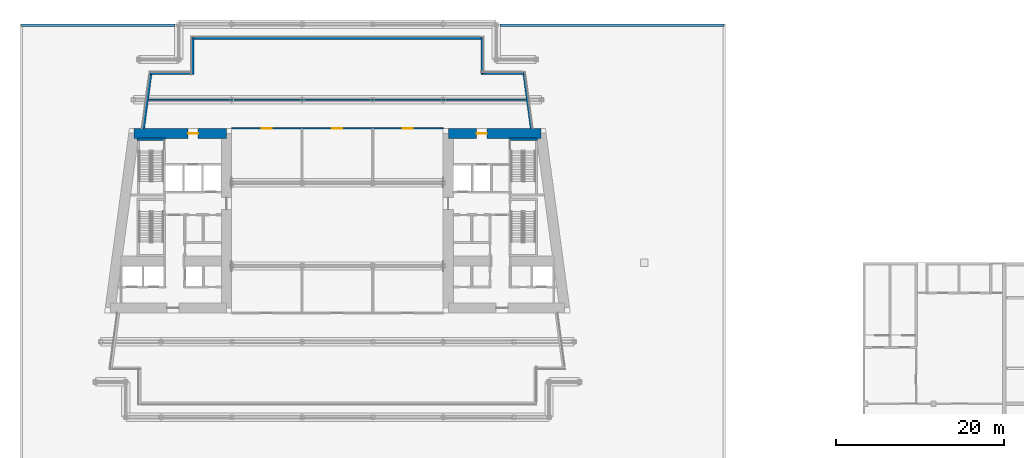
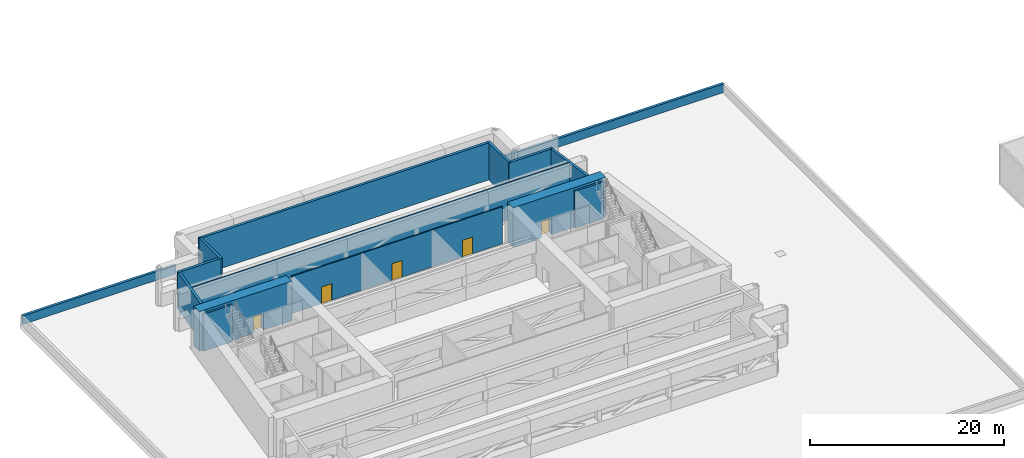
# One storey, part 18 of 26: 15 walls, 5 doors, 5 openings.
"""IFC4 building model written with IfcOpenShell, lengths in metres."""

from ifc_helpers import new_model, si_unit, direction, frame, frame_2d, origin, place, context, subcontext, project, spatial, rectangle, extrude, material, layer, layer_set, type_object, element, fill, save


model = new_model("IFC4")

# Units and contexts
model_context = context("Model", 3, precision=1e-05, world=origin(), true_north=direction((0.0, 1.0)))
body_context = subcontext(model_context, "Body", "Model", "MODEL_VIEW")
ifc_project = project(units=[si_unit("LENGTHUNIT", "METRE"), si_unit("AREAUNIT", "SQUARE_METRE"), si_unit("VOLUMEUNIT", "CUBIC_METRE"), si_unit("PLANEANGLEUNIT", "RADIAN"), si_unit("MASSUNIT", "GRAM", prefix="KILO")], contexts=[model_context])

# Site, building, storey
site_placement = place(None, origin())
site = spatial("IfcSite", under=ifc_project, at=site_placement, CompositionType="ELEMENT")
building_placement = place(site_placement, origin())
building = spatial("IfcBuilding", under=site, at=building_placement, Name="Candeia Pilgrim Tower and Theatre", CompositionType="ELEMENT")
storey_placement = place(building_placement, frame((0.0, 0.0, 34.0)))
storey = spatial("IfcBuildingStorey", under=building, at=storey_placement, Name="L05", CompositionType="ELEMENT", Elevation=34.0)

# Wall, opening, door
ifc_material_1 = material(Name="Concrete C80/95", Category="concrete")
ifc_layer_1 = layer(ifc_material_1, 1.199951171875)
ifc_layer_set_1 = layer_set([ifc_layer_1], Name="Core wall 1200 C80/95")
wall_type_1 = type_object("IfcWallType", Name="Core wall 1200 C80/95", PredefinedType="SHEAR", material=ifc_layer_set_1)
wall_1_placement = place(storey_placement, frame((89.155517578125, 131.800048828125, 0.0), z_axis=(0.0, 0.0, 1.0), x_axis=(1.0, 0.0, 0.0)))
wall_1 = element("IfcWall", 1, at=wall_1_placement, inside=storey, type_object=wall_type_1, Name="Core wall W1", PredefinedType="SHEAR", context=body_context, shape_type="SweptSolid", body=[
    extrude(rectangle(XDim=11.04443359375, YDim=1.199951171875, at=frame_2d((5.522216796875, 0.0))), origin(), (0.0, 0.0, 1.0), 5.0),
])
opening_1_placement = place(wall_1_placement, frame((6.4580078125, 0.0, 0.0)))
opening_1 = element("IfcOpeningElement", 2, at=opening_1_placement, cuts=wall_1, Name="Opening L05-D024", PredefinedType="OPENING", context=body_context, shape_type="SweptSolid", body=[
    extrude(rectangle(XDim=1.199951171875, YDim=2.10009765625, at=frame_2d((0.60009765625, 1.050048828125))), frame((0.0, 0.60986328125, 0.0), z_axis=(0.0, -1.0, 0.0), x_axis=(1.0, 0.0, 0.0)), (0.0, 0.0, 1.0), 1.219970703125),
])
ifc_material_2 = material(Name="Steel fire door set", Category="steel")
door_type = type_object("IfcDoorType", Name="D-1200-FD60", OperationType="NOTDEFINED", PredefinedType="DOOR", material=ifc_material_2)
door_1_placement = place(opening_1_placement, origin())
door_1 = element("IfcDoor", 3, at=door_1_placement, inside=storey, type_object=door_type, Name="Door L05-D024", OperationType="SINGLE_SWING_LEFT", OverallHeight=2.10009765625, OverallWidth=1.199951171875, PredefinedType="DOOR", context=body_context, shape_type="SweptSolid", body=[
    extrude(rectangle(XDim=1.199951171875, YDim=2.10009765625, at=frame_2d((0.60009765625, 1.050048828125))), frame((0.0, 0.02490234375, 0.0), z_axis=(0.0, -1.0, 0.0), x_axis=(1.0, 0.0, 0.0)), (0.0, 0.0, 1.0), 0.050048828125),
])
fill(opening_1, door_1)

wall_2_placement = place(storey_placement, frame((126.60009765625, 131.800048828125, 0.0), z_axis=(0.0, 0.0, 1.0), x_axis=(1.0, 0.0, 0.0)))
wall_2 = element("IfcWall", 4, at=wall_2_placement, inside=storey, type_object=wall_type_1, Name="Core wall E1", PredefinedType="SHEAR", context=body_context, shape_type="SweptSolid", body=[
    extrude(rectangle(XDim=11.04443359375, YDim=1.199951171875, at=frame_2d((5.522216796875, 0.0))), origin(), (0.0, 0.0, 1.0), 5.0),
])
opening_2_placement = place(wall_2_placement, frame((3.386474609375, 0.0, 0.0)))
opening_2 = element("IfcOpeningElement", 5, at=opening_2_placement, cuts=wall_2, Name="Opening L05-D027", PredefinedType="OPENING", context=body_context, shape_type="SweptSolid", body=[
    extrude(rectangle(XDim=1.199951171875, YDim=2.10009765625, at=frame_2d((0.60009765625, 1.050048828125))), frame((0.0, 0.60986328125, 0.0), z_axis=(0.0, -1.0, 0.0), x_axis=(1.0, 0.0, 0.0)), (0.0, 0.0, 1.0), 1.219970703125),
])
door_2_placement = place(opening_2_placement, origin())
door_2 = element("IfcDoor", 6, at=door_2_placement, inside=storey, type_object=door_type, Name="Door L05-D027", OperationType="SINGLE_SWING_RIGHT", OverallHeight=2.10009765625, OverallWidth=1.199951171875, PredefinedType="DOOR", context=body_context, shape_type="SweptSolid", body=[
    extrude(rectangle(XDim=1.199951171875, YDim=2.10009765625, at=frame_2d((0.60009765625, 1.050048828125))), frame((0.0, 0.02490234375, 0.0), z_axis=(0.0, -1.0, 0.0), x_axis=(1.0, 0.0, 0.0)), (0.0, 0.0, 1.0), 0.050048828125),
])
fill(opening_2, door_2)

# Walls
ifc_material_3 = material(Name="Ceramic block masonry", Category="masonry")
ifc_layer_2 = layer(ifc_material_3, 0.300048828125)
ifc_layer_set_2 = layer_set([ifc_layer_2], Name="EW1 glazing-line wall 300")
wall_type_2 = type_object("IfcWallType", Name="EW1 glazing-line wall 300", PredefinedType="SOLIDWALL", material=ifc_layer_set_2)
wall_3_placement = place(storey_placement, frame((136.50439453125, 132.39990234375, 0.0), z_axis=(0.0, 0.0, 1.0), x_axis=(-0.133399697462, 0.99106231929, 0.0)))
element("IfcWall", 7, at=wall_3_placement, inside=storey, type_object=wall_type_2, Name="External wall L05-3.1", PredefinedType="SOLIDWALL", context=body_context, shape_type="SweptSolid", body=[
    extrude(rectangle(XDim=6.740478515625, YDim=0.300048828125, at=frame_2d((3.3701171875, 0.0))), origin(), (0.0, 0.0, 1.0), 4.679931640625),
])
wall_4_placement = place(storey_placement, frame((135.62255859375, 138.949951171875, 0.0), z_axis=(0.0, 0.0, 1.0), x_axis=(-1.0, 0.0, 0.0)))
element("IfcWall", 8, at=wall_4_placement, inside=storey, type_object=wall_type_2, Name="External wall L05-4.0", PredefinedType="SOLIDWALL", context=body_context, shape_type="SweptSolid", body=[
    extrude(rectangle(XDim=5.12255859375, YDim=0.300048828125, at=frame_2d((2.561279296875, 0.0))), origin(), (0.0, 0.0, 1.0), 4.679931640625),
])
wall_5_placement = place(storey_placement, frame((130.64990234375, 138.949951171875, 0.0), z_axis=(0.0, 0.0, 1.0), x_axis=(0.0, 1.0, 0.0)))
element("IfcWall", 9, at=wall_5_placement, inside=storey, type_object=wall_type_2, Name="External wall L05-5.0", PredefinedType="SOLIDWALL", context=body_context, shape_type="SweptSolid", body=[
    extrude(rectangle(XDim=4.35009765625, YDim=0.300048828125, at=frame_2d((2.175048828125, 0.0))), origin(), (0.0, 0.0, 1.0), 4.679931640625),
])
wall_6_placement = place(storey_placement, frame((130.64990234375, 143.14990234375, 0.0), z_axis=(0.0, 0.0, 1.0), x_axis=(-1.0, 0.0, 0.0)))
element("IfcWall", 10, at=wall_6_placement, inside=storey, type_object=wall_type_2, Name="External wall L05-6.0", PredefinedType="SOLIDWALL", context=body_context, shape_type="SweptSolid", body=[
    extrude(rectangle(XDim=34.64990234375, YDim=0.300048828125, at=frame_2d((17.324951171875, 0.0))), origin(), (0.0, 0.0, 1.0), 4.679931640625),
])
wall_7_placement = place(storey_placement, frame((96.14990234375, 143.14990234375, 0.0), z_axis=(0.0, 0.0, 1.0), x_axis=(0.0, -1.0, 0.0)))
element("IfcWall", 11, at=wall_7_placement, inside=storey, type_object=wall_type_2, Name="External wall L05-7.0", PredefinedType="SOLIDWALL", context=body_context, shape_type="SweptSolid", body=[
    extrude(rectangle(XDim=4.349853515625, YDim=0.300048828125, at=frame_2d((2.1748046875, 0.0))), origin(), (0.0, 0.0, 1.0), 4.679931640625),
])
wall_8_placement = place(storey_placement, frame((96.14990234375, 138.949951171875, 0.0), z_axis=(0.0, 0.0, 1.0), x_axis=(-1.0, 0.0, 0.0)))
element("IfcWall", 12, at=wall_8_placement, inside=storey, type_object=wall_type_2, Name="External wall L05-8.0", PredefinedType="SOLIDWALL", context=body_context, shape_type="SweptSolid", body=[
    extrude(rectangle(XDim=5.103759765625, YDim=0.300048828125, at=frame_2d((2.5517578125, 0.0))), origin(), (0.0, 0.0, 1.0), 4.679931640625),
])
wall_9_placement = place(storey_placement, frame((91.177490234375, 138.949951171875, 0.0), z_axis=(0.0, 0.0, 1.0), x_axis=(-0.133426664613, -0.991058689065, 0.0)))
element("IfcWall", 13, at=wall_9_placement, inside=storey, type_object=wall_type_2, Name="External wall L05-9.0", PredefinedType="SOLIDWALL", context=body_context, shape_type="SweptSolid", body=[
    extrude(rectangle(XDim=6.609130859375, YDim=0.300048828125, at=frame_2d((3.3046875, 0.0))), origin(), (0.0, 0.0, 1.0), 4.679931640625),
])

# Wall, openings, doors
ifc_material_4 = material(Name="Gypsum board partition on steel studs", Category="steel")
ifc_layer_3 = layer(ifc_material_4, 0.14990234375)
ifc_layer_set_3 = layer_set([ifc_layer_3], Name="PW-150 unit wall")
wall_type_3 = type_object("IfcWallType", Name="PW-150 unit wall", PredefinedType="PARTITIONING", material=ifc_layer_set_3)
wall_10_placement = place(storey_placement, frame((100.800048828125, 132.39990234375, 0.0), z_axis=(0.0, 0.0, 1.0), x_axis=(1.0, 0.0, 0.0)))
wall_10 = element("IfcWall", 14, at=wall_10_placement, inside=storey, type_object=wall_type_3, Name="Unit wall L05-029", PredefinedType="PARTITIONING", context=body_context, shape_type="SweptSolid", body=[
    extrude(rectangle(XDim=25.199951171875, YDim=0.14990234375, at=frame_2d((12.60009765625, 0.0))), origin(), (0.0, 0.0, 1.0), 4.679931640625),
])
opening_3_placement = place(wall_10_placement, frame((3.60009765625, 0.0, 0.0)))
opening_3 = element("IfcOpeningElement", 15, at=opening_3_placement, cuts=wall_10, Name="Opening L05-D002", PredefinedType="OPENING", context=body_context, shape_type="SweptSolid", body=[
    extrude(rectangle(XDim=1.199951171875, YDim=2.10009765625, at=frame_2d((0.60009765625, 1.050048828125))), frame((0.0, 0.0849609375, 0.0), z_axis=(0.0, -1.0, 0.0), x_axis=(1.0, 0.0, 0.0)), (0.0, 0.0, 1.0), 0.169921875),
])
opening_4_placement = place(wall_10_placement, frame((12.0, 0.0, 0.0)))
opening_4 = element("IfcOpeningElement", 16, at=opening_4_placement, cuts=wall_10, Name="Opening L05-D004", PredefinedType="OPENING", context=body_context, shape_type="SweptSolid", body=[
    extrude(rectangle(XDim=1.199951171875, YDim=2.10009765625, at=frame_2d((0.60009765625, 1.050048828125))), frame((0.0, 0.0849609375, 0.0), z_axis=(0.0, -1.0, 0.0), x_axis=(1.0, 0.0, 0.0)), (0.0, 0.0, 1.0), 0.169921875),
])
opening_5_placement = place(wall_10_placement, frame((20.39990234375, 0.0, 0.0)))
opening_5 = element("IfcOpeningElement", 17, at=opening_5_placement, cuts=wall_10, Name="Opening L05-D006", PredefinedType="OPENING", context=body_context, shape_type="SweptSolid", body=[
    extrude(rectangle(XDim=1.199951171875, YDim=2.10009765625, at=frame_2d((0.60009765625, 1.050048828125))), frame((0.0, 0.0849609375, 0.0), z_axis=(0.0, -1.0, 0.0), x_axis=(1.0, 0.0, 0.0)), (0.0, 0.0, 1.0), 0.169921875),
])
door_3_placement = place(opening_3_placement, origin())
door_3 = element("IfcDoor", 18, at=door_3_placement, inside=storey, type_object=door_type, Name="Door L05-D002", OperationType="SINGLE_SWING_LEFT", OverallHeight=2.10009765625, OverallWidth=1.199951171875, PredefinedType="DOOR", context=body_context, shape_type="SweptSolid", body=[
    extrude(rectangle(XDim=1.199951171875, YDim=2.10009765625, at=frame_2d((0.60009765625, 1.050048828125))), frame((0.0, 0.02490234375, 0.0), z_axis=(0.0, -1.0, 0.0), x_axis=(1.0, 0.0, 0.0)), (0.0, 0.0, 1.0), 0.050048828125),
])
fill(opening_3, door_3)
door_4_placement = place(opening_4_placement, origin())
door_4 = element("IfcDoor", 19, at=door_4_placement, inside=storey, type_object=door_type, Name="Door L05-D004", OperationType="SINGLE_SWING_LEFT", OverallHeight=2.10009765625, OverallWidth=1.199951171875, PredefinedType="DOOR", context=body_context, shape_type="SweptSolid", body=[
    extrude(rectangle(XDim=1.199951171875, YDim=2.10009765625, at=frame_2d((0.60009765625, 1.050048828125))), frame((0.0, 0.02490234375, 0.0), z_axis=(0.0, -1.0, 0.0), x_axis=(1.0, 0.0, 0.0)), (0.0, 0.0, 1.0), 0.050048828125),
])
fill(opening_4, door_4)
door_5_placement = place(opening_5_placement, origin())
door_5 = element("IfcDoor", 20, at=door_5_placement, inside=storey, type_object=door_type, Name="Door L05-D006", OperationType="SINGLE_SWING_LEFT", OverallHeight=2.10009765625, OverallWidth=1.199951171875, PredefinedType="DOOR", context=body_context, shape_type="SweptSolid", body=[
    extrude(rectangle(XDim=1.199951171875, YDim=2.10009765625, at=frame_2d((0.60009765625, 1.050048828125))), frame((0.0, 0.02490234375, 0.0), z_axis=(0.0, -1.0, 0.0), x_axis=(1.0, 0.0, 0.0)), (0.0, 0.0, 1.0), 0.050048828125),
])
fill(opening_5, door_5)

# Walls
wall_11_placement = place(storey_placement, frame((90.89453125, 135.800048828125, 0.0), z_axis=(0.0, 0.0, 1.0), x_axis=(1.0, 0.0, 0.0)))
element("IfcWall", 21, at=wall_11_placement, inside=storey, type_object=wall_type_3, Name="Unit wall L05-030", PredefinedType="PARTITIONING", context=body_context, shape_type="SweptSolid", body=[
    extrude(rectangle(XDim=45.010986328125, YDim=0.14990234375, at=frame_2d((22.50537109375, 0.0))), origin(), (0.0, 0.0, 1.0), 4.679931640625),
])
ifc_layer_4 = layer(ifc_material_3, 0.300048828125)
ifc_layer_set_4 = layer_set([ifc_layer_4], Name="PW1 parapet wall 300")
wall_type_4 = type_object("IfcWallType", Name="PW1 parapet wall 300", PredefinedType="PARAPET", material=ifc_layer_set_4)
wall_12_placement = place(storey_placement, frame((75.75, 144.64990234375, 0.0), z_axis=(0.0, 0.0, 1.0), x_axis=(1.0, 0.0, 0.0)))
element("IfcWall", 22, at=wall_12_placement, inside=storey, type_object=wall_type_4, Name="Roof parapet L05", PredefinedType="PARAPET", context=body_context, shape_type="SweptSolid", body=[
    extrude(rectangle(XDim=18.300048828125, YDim=0.300048828125, at=frame_2d((9.14990234375, 0.0))), origin(), (0.0, 0.0, 1.0), 1.10009765625),
])
wall_13_placement = place(storey_placement, frame((132.75, 144.64990234375, 0.0), z_axis=(0.0, 0.0, 1.0), x_axis=(1.0, 0.0, 0.0)))
element("IfcWall", 23, at=wall_13_placement, inside=storey, type_object=wall_type_4, Name="Roof parapet L05", PredefinedType="PARAPET", context=body_context, shape_type="SweptSolid", body=[
    extrude(rectangle(XDim=26.699951171875, YDim=0.300048828125, at=frame_2d((13.35009765625, 0.0))), origin(), (0.0, 0.0, 1.0), 1.10009765625),
])
ifc_material_5 = material(Name="Concrete C40/50", Category="concrete")
ifc_layer_5 = layer(ifc_material_5, 0.25)
ifc_layer_set_5 = layer_set([ifc_layer_5], Name="SW-250 stair wall")
wall_type_5 = type_object("IfcWallType", Name="SW-250 stair wall", PredefinedType="PARTITIONING", material=ifc_layer_set_5)
wall_14_placement = place(storey_placement, frame((89.552001953125, 131.10107421875, 0.0), z_axis=(0.0, 0.0, 1.0), x_axis=(1.0, 0.0, 0.0)))
element("IfcWall", 24, at=wall_14_placement, inside=storey, type_object=wall_type_5, Name="Stair wall L05-027", PredefinedType="PARTITIONING", context=body_context, shape_type="SweptSolid", body=[
    extrude(rectangle(XDim=3.39990234375, YDim=0.25, at=frame_2d((1.699951171875, 0.0))), origin(), (0.0, 0.0, 1.0), 4.679931640625),
])
wall_15_placement = place(storey_placement, frame((133.847900390625, 131.10107421875, 0.0), z_axis=(0.0, 0.0, 1.0), x_axis=(1.0, 0.0, 0.0)))
element("IfcWall", 25, at=wall_15_placement, inside=storey, type_object=wall_type_5, Name="Stair wall L05-028", PredefinedType="PARTITIONING", context=body_context, shape_type="SweptSolid", body=[
    extrude(rectangle(XDim=3.400146484375, YDim=0.25, at=frame_2d((1.7001953125, 0.0))), origin(), (0.0, 0.0, 1.0), 4.679931640625),
])

save(model, "model.ifc")
